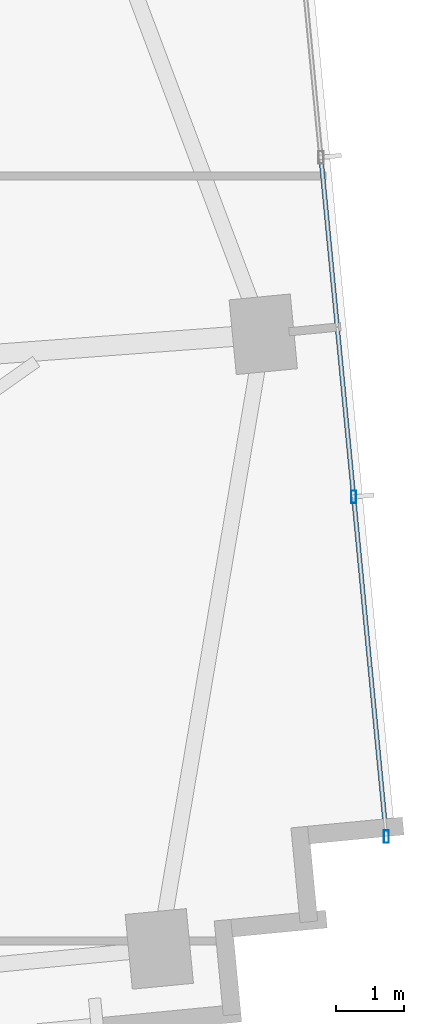
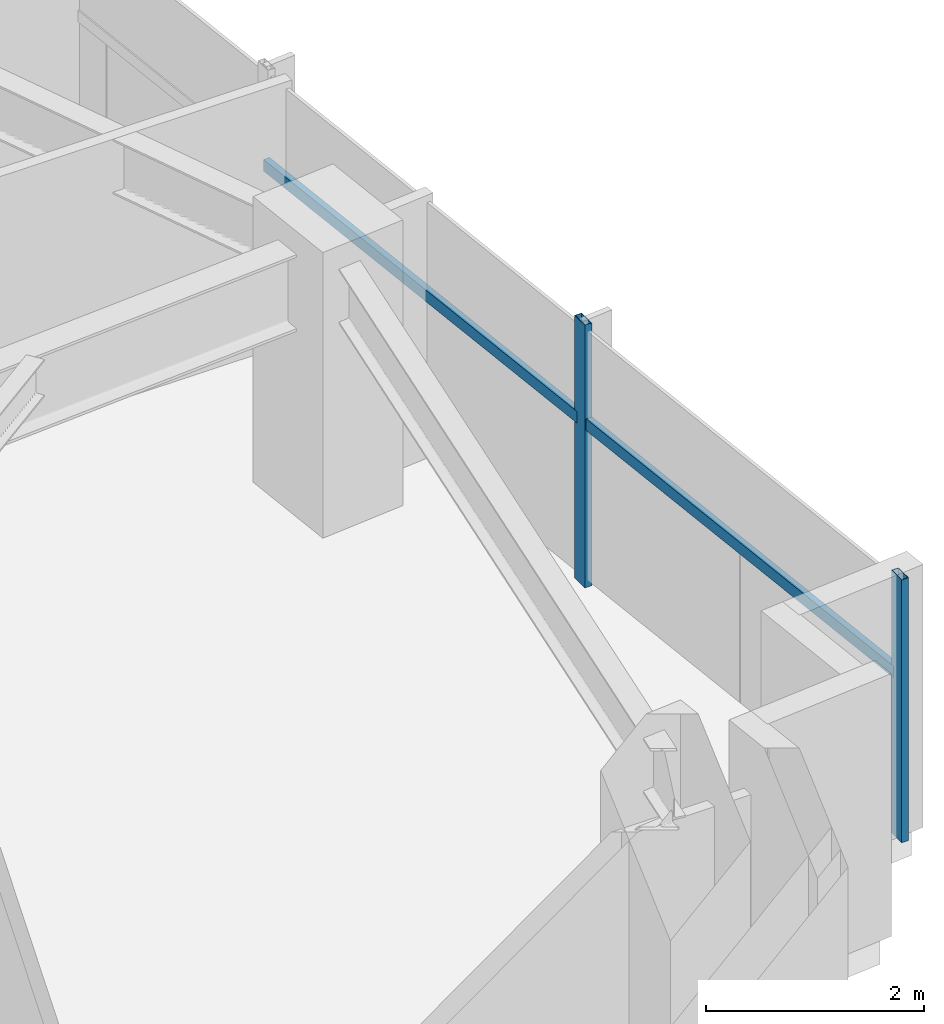
# One storey, part 14 of 25: 4 members, 1 element without a shape of its own.
"""IFC4 building model written with IfcOpenShell, lengths in metres."""

import ifcopenshell
import ifcopenshell.guid

model = None  # the IFC model being written
_history = None  # IfcOwnerHistory: only IFC2X3 demands one
_inside = {}  # id of a spatial element -> (the spatial element, [elements in it])
_under = {}  # id of a project, library or spatial element -> (it, [spatial elements below it])
_declared = {}  # id of a project -> (the project, [libraries it declares])
_typed = {}  # id of a type object -> (the type object, [elements of that type])
_made_of = {}  # id of a material, layer set ... -> (it, [elements and type objects made of it])


def new_model(schema):
    """Start an empty IFC model of exactly this schema.

    Asked for "IFC4X3", IfcOpenShell would pick the latest addendum, in which some entities
    have other attributes; the version numbers below select the first issue.
    IFC2X3 requires an IfcOwnerHistory on every rooted entity: one is made here for all.
    """
    global model, _history
    if schema == "IFC4X3":
        model = ifcopenshell.file(schema_version=(4, 3, 0, 0))
    else:
        model = ifcopenshell.file(schema=schema)
    _inside.clear()
    _under.clear()
    _declared.clear()
    _typed.clear()
    _made_of.clear()
    _history = None
    if model.schema == "IFC2X3":
        org = make("IfcOrganization", Name="unknown")
        user = make(
            "IfcPersonAndOrganization",
            ThePerson=make("IfcPerson", FamilyName="unknown"),
            TheOrganization=org,
        )
        app = make(
            "IfcApplication",
            ApplicationDeveloper=org,
            Version="unknown",
            ApplicationFullName="unknown",
            ApplicationIdentifier="unknown",
        )
        _history = make(
            "IfcOwnerHistory",
            OwningUser=user,
            OwningApplication=app,
            ChangeAction="ADDED",
            CreationDate=0,
        )
    return model


def make(cls, **values):
    """One entity of the class cls with the attributes given. An attribute that is None is left unset."""
    return model.create_entity(
        cls, **{name: value for name, value in values.items() if value is not None}
    )


def rooted(cls, **values):
    """An entity with a GlobalId (a new one), such as an element, a storey or a relation."""
    return make(cls, GlobalId=ifcopenshell.guid.new(), OwnerHistory=_history, **values)


def si_unit(unit_type, name, prefix=None):
    """IfcSIUnit, for example si_unit("LENGTHUNIT", "METRE", prefix="MILLI")."""
    return make("IfcSIUnit", UnitType=unit_type, Prefix=prefix, Name=name)


def assignment(units):
    """IfcUnitAssignment: the units of a project."""
    return None if units is None else make("IfcUnitAssignment", Units=units)


def point(xyz):
    """IfcCartesianPoint."""
    return None if xyz is None else make("IfcCartesianPoint", Coordinates=xyz)


def direction(xyz):
    """IfcDirection."""
    return None if xyz is None else make("IfcDirection", DirectionRatios=xyz)


def frame(location, z_axis=None, x_axis=None):
    """IfcAxis2Placement3D, a coordinate frame: its origin and axes. An axis left out is left unset."""
    return make(
        "IfcAxis2Placement3D",
        Location=point(location),
        Axis=direction(z_axis),
        RefDirection=direction(x_axis),
    )


def frame_2d(location, x_axis=None):
    """IfcAxis2Placement2D, a coordinate frame in the plane: its origin and x axis."""
    return make(
        "IfcAxis2Placement2D", Location=point(location), RefDirection=direction(x_axis)
    )


def origin():
    """The frame at (0, 0, 0) with its axes left unset."""
    return frame((0.0, 0.0, 0.0))


def origin_2d():
    """The frame at (0, 0) in the plane with its x axis left unset."""
    return frame_2d((0.0, 0.0))


def place(relative_to, where):
    """IfcLocalPlacement: puts the frame where relative to a parent placement (None: the world)."""
    return make(
        "IfcLocalPlacement", PlacementRelTo=relative_to, RelativePlacement=where
    )


def context(
    kind, dimensions, precision=None, world=None, true_north=None, identifier=None
):
    """IfcGeometricRepresentationContext, for example the 3D "Model" context."""
    return make(
        "IfcGeometricRepresentationContext",
        ContextIdentifier=identifier,
        ContextType=kind,
        CoordinateSpaceDimension=dimensions,
        Precision=precision,
        WorldCoordinateSystem=world,
        TrueNorth=true_north,
    )


def subcontext(parent, identifier, kind, view, scale=None):
    """IfcGeometricRepresentationSubContext, for example "Body" below "Model"."""
    return make(
        "IfcGeometricRepresentationSubContext",
        ContextIdentifier=identifier,
        ContextType=kind,
        ParentContext=parent,
        TargetScale=scale,
        TargetView=view,
    )


def project(units=None, contexts=None):
    """IfcProject with its units and contexts."""
    return rooted(
        "IfcProject",
        Name="project",
        RepresentationContexts=contexts,
        UnitsInContext=assignment(units),
    )


def spatial(cls, under=None, at=None, **own):
    """A site, building, storey or space (cls), placed at a placement, below another one or the project."""
    s = rooted(cls, ObjectPlacement=at, **own)
    if under is not None:
        _under.setdefault(under.id(), (under, []))[1].append(s)
    return s


def profile(cls, at=None, kind="AREA", **sizes):
    """A parametric profile (cls). Its sizes go by their IFC names, for example OverallWidth=200.0."""
    return make(cls, ProfileType=kind, Position=at, **sizes)


def hollow_rectangle(**sizes):
    """IfcRectangleHollowProfileDef."""
    return profile("IfcRectangleHollowProfileDef", **sizes)


def extrude(swept, where, along, depth):
    """IfcExtrudedAreaSolid: the profile swept, set in the frame where, extruded along a direction by depth."""
    return make(
        "IfcExtrudedAreaSolid",
        SweptArea=swept,
        Position=where,
        ExtrudedDirection=direction(along),
        Depth=depth,
    )


def shape(context_of_items, identifier, shape_type, items):
    """IfcShapeRepresentation: the items that make up one representation, for example the "Body"."""
    return make(
        "IfcShapeRepresentation",
        ContextOfItems=context_of_items,
        RepresentationIdentifier=identifier,
        RepresentationType=shape_type,
        Items=items,
    )


def source(mapping_origin, context_of_items, identifier, shape_type, items):
    """IfcRepresentationMap: a shape defined once, which mapped items show again and again."""
    return make(
        "IfcRepresentationMap",
        MappingOrigin=mapping_origin,
        MappedRepresentation=shape(context_of_items, identifier, shape_type, items),
    )


def transform(
    local_origin,
    x_axis=None,
    y_axis=None,
    z_axis=None,
    scale=None,
    scale2=None,
    scale3=None,
    uniform=True,
):
    """IfcCartesianTransformationOperator3D, or its non-uniform kind. x_axis, y_axis, z_axis: its Axis1, 2, 3."""
    if uniform:
        return make(
            "IfcCartesianTransformationOperator3D",
            Axis1=direction(x_axis),
            Axis2=direction(y_axis),
            LocalOrigin=point(local_origin),
            Scale=scale,
            Axis3=direction(z_axis),
        )
    return make(
        "IfcCartesianTransformationOperator3DnonUniform",
        Axis1=direction(x_axis),
        Axis2=direction(y_axis),
        LocalOrigin=point(local_origin),
        Scale=scale,
        Axis3=direction(z_axis),
        Scale2=scale2,
        Scale3=scale3,
    )


def mapped(mapping_source, mapping_target):
    """IfcMappedItem: shows the shape of a source again, moved by a transform."""
    return make(
        "IfcMappedItem", MappingSource=mapping_source, MappingTarget=mapping_target
    )


def material(Name=None, Category=None):
    """IfcMaterial."""
    return make("IfcMaterial", Name=Name, Category=Category)


def material_profile(
    of_material, cross_section, Name=None, Category=None, Priority=None
):
    """IfcMaterialProfile: a cross section and its material."""
    return make(
        "IfcMaterialProfile",
        Name=Name,
        Material=of_material,
        Profile=cross_section,
        Priority=Priority,
        Category=Category,
    )


def profile_set(profiles, Name=None, composite=None):
    """IfcMaterialProfileSet."""
    return make(
        "IfcMaterialProfileSet",
        Name=Name,
        MaterialProfiles=profiles,
        CompositeProfile=composite,
    )


def made_of(thing, what):
    """Note that an element or type object is made of a material, layer set ...; save() writes the relation."""
    if what is not None:
        _made_of.setdefault(what.id(), (what, []))[1].append(thing)
    return thing


def type_object(cls, material=None, **own):
    """A type object (cls), such as IfcWallType, which elements share."""
    return made_of(rooted(cls, **own), material)


def type_shapes(of_type, sources):
    """Give a type object the sources (RepresentationMaps) that its elements show as mapped items."""
    of_type.RepresentationMaps = sources


def element(
    cls,
    number,
    at=None,
    inside=None,
    cuts=None,
    type_object=None,
    material=None,
    context=None,
    identifier="Body",
    shape_type=None,
    held_by="IfcProductDefinitionShape",
    body=None,
    shapes=None,
    **own,
):
    """One element of the class cls, such as IfcWall. Its Tag is "e" and its number.

    at: its placement. inside: the storey or other place that contains it. cuts: it is an
    opening in that element (IfcRelVoidsElement). A single representation is given by context,
    identifier, shape_type and body (its items); several are given by shapes. held_by: the class
    of the entity that holds the representations. save() writes the other relations.
    """
    e = rooted(cls, Tag="e%d" % number, ObjectPlacement=at, **own)
    if body is not None:
        shapes = [shape(context, identifier, shape_type, body)]
    if shapes is not None:
        e.Representation = make(held_by, Representations=shapes)
    if inside is not None:
        _inside.setdefault(inside.id(), (inside, []))[1].append(e)
    if cuts is not None:
        rooted(
            "IfcRelVoidsElement", RelatingBuildingElement=cuts, RelatedOpeningElement=e
        )
    if type_object is not None:
        _typed.setdefault(type_object.id(), (type_object, []))[1].append(e)
    return made_of(e, material)


def aggregate(whole, parts):
    """IfcRelAggregates: a whole, such as a stair, and the parts it consists of."""
    return rooted("IfcRelAggregates", RelatingObject=whole, RelatedObjects=parts)


def save(model, path):
    """Write the relations noted so far, then the file.

    IfcRelAggregates (storeys below a building ...), IfcRelContainedInSpatialStructure (elements
    in a storey), IfcRelDefinesByType, IfcRelAssociatesMaterial and IfcRelDeclares: one each for
    every whole, place, type object, material and project.
    """
    for whole, parts in _under.values():
        aggregate(whole, parts)
    for where, things in _inside.values():
        rooted(
            "IfcRelContainedInSpatialStructure",
            RelatedElements=things,
            RelatingStructure=where,
        )
    for kind, things in _typed.values():
        rooted("IfcRelDefinesByType", RelatedObjects=things, RelatingType=kind)
    for what, things in _made_of.values():
        rooted("IfcRelAssociatesMaterial", RelatedObjects=things, RelatingMaterial=what)
    for by, libraries in _declared.values():
        rooted("IfcRelDeclares", RelatingContext=by, RelatedDefinitions=libraries)
    model.write(path)


model = new_model("IFC4")

# Units and contexts
model_context = context("Model", 3, precision=1e-05, world=origin(), true_north=direction((0.0, 1.0)))
body_context = subcontext(model_context, "Body", "Model", "MODEL_VIEW")
ifc_project = project(units=[si_unit("LENGTHUNIT", "METRE"), si_unit("AREAUNIT", "SQUARE_METRE"), si_unit("VOLUMEUNIT", "CUBIC_METRE"), si_unit("PLANEANGLEUNIT", "RADIAN"), si_unit("MASSUNIT", "GRAM", prefix="KILO")], contexts=[model_context])

# Site, building, storey
site_placement = place(None, origin())
site = spatial("IfcSite", under=ifc_project, at=site_placement, CompositionType="ELEMENT")
building_placement = place(site_placement, origin())
building = spatial("IfcBuilding", under=site, at=building_placement, Name="Astriad Promenade Condominiums", CompositionType="ELEMENT")
storey_placement = place(building_placement, frame((0.0, 0.0, 103.39990234375)))
storey = spatial("IfcBuildingStorey", under=building, at=storey_placement, Name="L29", CompositionType="ELEMENT", Elevation=103.39990234375)

# Curtain wall, members
ifc_material_1 = material(Name="Anodised aluminium Black Dark Glass Unitised", Category="aluminium")
curtain_wall_type = type_object("IfcCurtainWallType", Name="CW-B2-DARK", PredefinedType="USERDEFINED", material=ifc_material_1)
curtain_wall_placement = place(storey_placement, origin())
curtain_wall = element("IfcCurtainWall", 1, at=curtain_wall_placement, inside=storey, type_object=curtain_wall_type, Name="CW-L29-E", ObjectType="UNITISED_CURTAIN_WALL", PredefinedType="USERDEFINED")
ifc_material_2 = material(Name="Anodised aluminium 6063-T6 Black", Category="aluminium")
ifc_material_profile_1 = material_profile(ifc_material_2, hollow_rectangle(XDim=0.074951171875, YDim=0.18505859375, WallThickness=0.00439453125, at=origin_2d()), Name="ALU-MUL-75X185")
ifc_profile_set_1 = profile_set([ifc_material_profile_1], Name="Anodised aluminium 6063-T6 Black")
member_type_1 = type_object("IfcMemberType", Name="MUL-ALU-MUL-75X185", PredefinedType="MULLION", material=ifc_profile_set_1)
shared_shape_1 = source(origin(), body_context, "Body", "SweptSolid", [
    extrude(hollow_rectangle(XDim=0.074951171875, YDim=0.18505859375, WallThickness=0.00439453125, at=origin_2d()), origin(), (0.0, 0.0, 1.0), 2.940185546875),
])
type_shapes(member_type_1, [shared_shape_1])
member_1_placement = place(storey_placement, frame((68.972900390625, 16.6552734375, 0.0), z_axis=(0.0, 0.0, 1.0), x_axis=(1.0, 0.0, 0.0)))
member_1 = element("IfcMember", 2, at=member_1_placement, type_object=member_type_1, Name="CW-L29-E-MUL-02", PredefinedType="MULLION", context=body_context, shape_type="MappedRepresentation", body=[
    mapped(shared_shape_1, transform((0.0, 0.0, 0.0), scale=1.0)),
])
member_2_placement = place(storey_placement, frame((69.4521484375, 11.67822265625, 0.0), z_axis=(0.0, 0.0, 1.0), x_axis=(1.0, 0.0, 0.0)))
member_2 = element("IfcMember", 3, at=member_2_placement, type_object=member_type_1, Name="CW-L29-E-MUL-03", PredefinedType="MULLION", context=body_context, shape_type="MappedRepresentation", body=[
    mapped(shared_shape_1, transform((0.0, 0.0, 0.0), scale=1.0)),
])
ifc_material_profile_2 = material_profile(ifc_material_2, hollow_rectangle(XDim=0.06494140625, YDim=0.1298828125, WallThickness=0.00390625, at=origin_2d()), Name="ALU-TRN-65X130")
ifc_profile_set_2 = profile_set([ifc_material_profile_2], Name="Anodised aluminium 6063-T6 Black")
member_type_2 = type_object("IfcMemberType", Name="TRN-ALU-TRN-65X130", PredefinedType="USERDEFINED", material=ifc_profile_set_2)
shared_shape_2 = source(origin(), body_context, "Body", "SweptSolid", [
    extrude(hollow_rectangle(XDim=0.06494140625, YDim=0.1298828125, WallThickness=0.00390625, at=origin_2d()), origin(), (0.0, 0.0, 1.0), 5.0),
])
member_3_placement = place(storey_placement, frame((68.972900390625, 16.6552734375, 1.822998046875), z_axis=(0.095848242264, -0.995395958629, 0.0), x_axis=(0.995395958629, 0.095848242264, 0.0)))
member_3 = element("IfcMember", 4, at=member_3_placement, type_object=member_type_2, Name="CW-L29-E-TRN-02-0", ObjectType="TRANSOM", PredefinedType="USERDEFINED", context=body_context, shape_type="MappedRepresentation", body=[
    mapped(shared_shape_2, transform((0.0, 0.0, 0.0), scale=1.0)),
])
shared_shape_3 = source(origin(), body_context, "Body", "SweptSolid", [
    extrude(hollow_rectangle(XDim=0.06494140625, YDim=0.1298828125, WallThickness=0.00390625, at=origin_2d()), origin(), (0.0, 0.0, 1.0), 4.999755859375),
])
type_shapes(member_type_2, [shared_shape_2, shared_shape_3])
member_4_placement = place(storey_placement, frame((68.493896484375, 21.632080078125, 1.822998046875), z_axis=(0.095804519461, -0.995400167797, 0.0), x_axis=(0.995400167797, 0.095804519461, 0.0)))
member_4 = element("IfcMember", 5, at=member_4_placement, type_object=member_type_2, Name="CW-L29-E-TRN-01-0", ObjectType="TRANSOM", PredefinedType="USERDEFINED", context=body_context, shape_type="MappedRepresentation", body=[
    mapped(shared_shape_3, transform((0.0, 0.0, 0.0), scale=1.0)),
])
aggregate(curtain_wall, [member_1, member_2, member_4, member_3])

save(model, "model.ifc")
